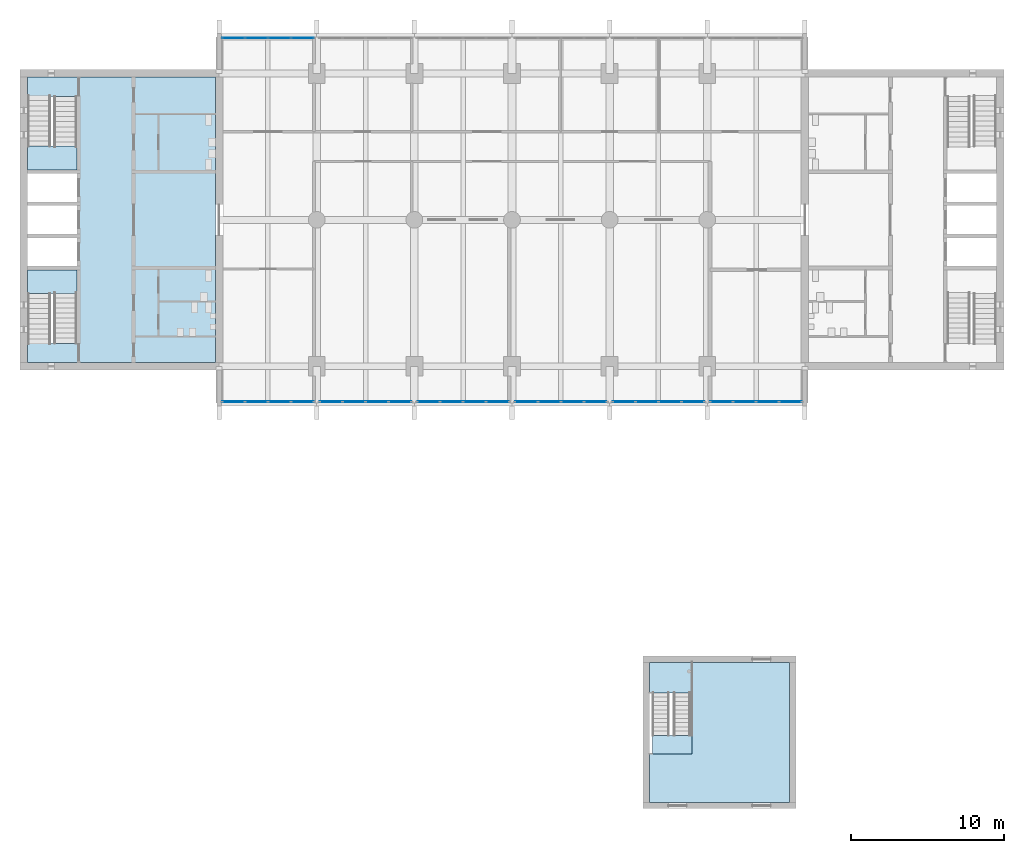
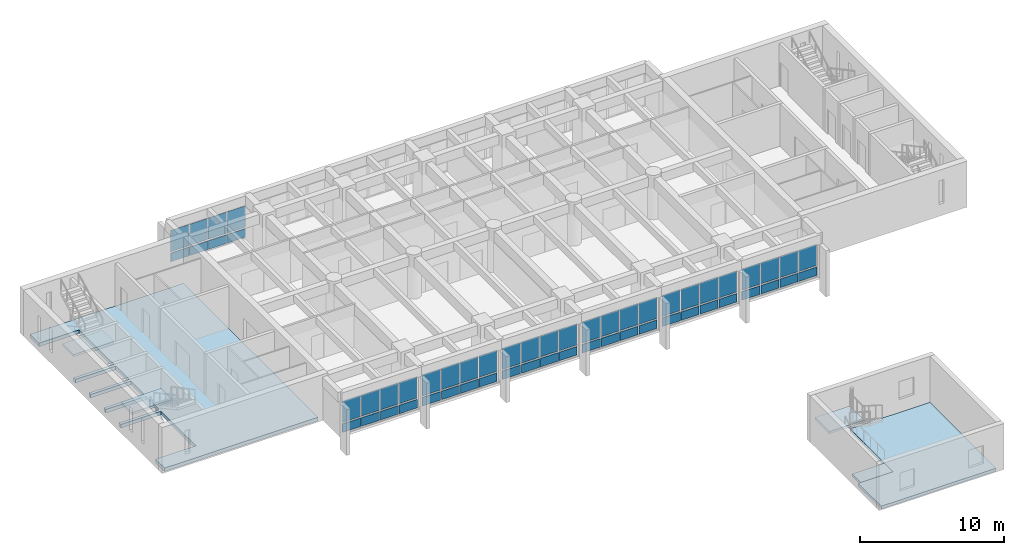
# One storey, part 7 of 19: 56 plates, 6 slabs, 10 elements without a shape of their own.
"""IFC4 building model written with IfcOpenShell, lengths in metres."""

from ifc_helpers import new_model, si_unit, direction, frame, origin, origin_2d, place, context, subcontext, project, spatial, polyline, rectangle, outline, extrude, material, layer, layer_set, type_object, element, aggregate, save


model = new_model("IFC4")

# Units and contexts
model_context = context("Model", 3, precision=1e-05, world=origin(), true_north=direction((0.0, 1.0)))
body_context = subcontext(model_context, "Body", "Model", "MODEL_VIEW")
ifc_project = project(units=[si_unit("LENGTHUNIT", "METRE"), si_unit("AREAUNIT", "SQUARE_METRE"), si_unit("VOLUMEUNIT", "CUBIC_METRE"), si_unit("PLANEANGLEUNIT", "RADIAN"), si_unit("MASSUNIT", "GRAM", prefix="KILO")], contexts=[model_context])

# Site, building, storey
site_placement = place(None, origin())
site = spatial("IfcSite", under=ifc_project, at=site_placement, CompositionType="ELEMENT")
building_placement = place(site_placement, origin())
building = spatial("IfcBuilding", under=site, at=building_placement, Name="Fogon Plaza Fire Station and Headquarters Tower", CompositionType="ELEMENT")
storey_placement = place(building_placement, frame((0.0, 0.0, 17.10009765625)))
storey = spatial("IfcBuildingStorey", under=building, at=storey_placement, Name="L04", CompositionType="ELEMENT", Elevation=17.10009765625)

# Slab
ifc_material_1 = material(Name="Concrete C40", Category="concrete")
ifc_layer_1 = layer(ifc_material_1, 0.300048828125)
ifc_layer_set_1 = layer_set([ifc_layer_1], Name="Concrete C40")
slab_type_1 = type_object("IfcSlabType", Name="Core Floor Slab RC 300", PredefinedType="FLOOR", material=ifc_layer_set_1)
slab_1_placement = place(storey_placement, frame((0.0, 0.0, -0.300048828125)))
element("IfcSlab", 1, at=slab_1_placement, inside=storey, type_object=slab_type_1, Name="Core A floor", PredefinedType="FLOOR", context=body_context, shape_type="SweptSolid", body=[
    extrude(outline(polyline([(13.050048828125, 35.110107421875), (13.050048828125, 33.85009765625), (25.35009765625, 33.85009765625), (25.35009765625, 52.550048828125), (13.050048828125, 52.550048828125), (13.050048828125, 51.2900390625), (16.27490234375, 51.2900390625), (16.27490234375, 46.47509765625), (13.050048828125, 46.47509765625), (13.050048828125, 46.22509765625), (16.27490234375, 46.22509765625), (16.27490234375, 44.375), (13.050048828125, 44.375), (13.050048828125, 44.125), (16.27490234375, 44.125), (16.27490234375, 42.27490234375), (13.050048828125, 42.27490234375), (13.050048828125, 42.02490234375), (16.27490234375, 42.02490234375), (16.27490234375, 40.175048828125), (13.050048828125, 40.175048828125), (13.050048828125, 39.925048828125), (16.27490234375, 39.925048828125), (16.27490234375, 35.110107421875), (13.050048828125, 35.110107421875)])), origin(), (0.0, 0.0, 1.0), 0.300048828125),
])

# Stair, slabs
ifc_material_2 = material(Name="Concrete C40", Category="concrete")
stair_type_1 = type_object("IfcStairType", Name="Drill Stair 1100", PredefinedType="HALF_TURN_STAIR", material=ifc_material_2)
stair_1_placement = place(storey_placement, origin())
stair_1 = element("IfcStair", 2, at=stair_1_placement, inside=storey, type_object=stair_type_1, Name="DT1", PredefinedType="HALF_TURN_STAIR")
ifc_material_3 = material(Name="Concrete C40", Category="concrete")
ifc_layer_2 = layer(ifc_material_3, 0.199951171875)
ifc_layer_set_2 = layer_set([ifc_layer_2], Name="Concrete C40")
slab_type_2 = type_object("IfcSlabType", Name="Drill Stair Landing 200", PredefinedType="LANDING", material=ifc_layer_set_2)
slab_2_placement = place(storey_placement, frame((0.0, 0.0, -0.2001953125)))
slab_2 = element("IfcSlab", 3, at=slab_2_placement, type_object=slab_type_2, Name="DT1 landing 1", PredefinedType="LANDING", context=body_context, shape_type="SweptSolid", body=[
    extrude(outline(polyline([(54.0, 8.199951171875), (56.60009765625, 8.199951171875), (56.60009765625, 9.39990234375), (54.0, 9.39990234375), (54.0, 8.199951171875)])), origin(), (0.0, 0.0, 1.0), 0.2001953125),
])
slab_3_placement = place(storey_placement, frame((0.0, 0.0, 1.75)))
slab_3 = element("IfcSlab", 4, at=slab_3_placement, type_object=slab_type_2, Name="DT1 landing 2", PredefinedType="LANDING", context=body_context, shape_type="SweptSolid", body=[
    extrude(outline(polyline([(53.800048828125, 12.199951171875), (56.60009765625, 12.199951171875), (56.60009765625, 14.199951171875), (53.800048828125, 14.199951171875), (53.800048828125, 12.199951171875)])), origin(), (0.0, 0.0, 1.0), 0.199951171875),
])
aggregate(stair_1, [slab_2, slab_3])

# Slab
ifc_material_4 = material(Name="Concrete C40", Category="concrete")
ifc_layer_3 = layer(ifc_material_4, 0.25)
ifc_layer_set_3 = layer_set([ifc_layer_3], Name="Concrete C40")
slab_type_3 = type_object("IfcSlabType", Name="Floor slab 250 S25", PredefinedType="FLOOR", material=ifc_layer_set_3)
slab_4_placement = place(storey_placement, frame((0.0, 0.0, -0.25)))
element("IfcSlab", 5, at=slab_4_placement, inside=storey, type_object=slab_type_3, Name="slab-drill-L04", PredefinedType="FLOOR", context=body_context, shape_type="SweptSolid", body=[
    extrude(outline(polyline([(63.0, 14.199951171875), (63.0, 5.0), (53.800048828125, 5.0), (53.800048828125, 8.199951171875), (56.60009765625, 8.199951171875), (56.60009765625, 14.199951171875), (63.0, 14.199951171875)])), origin(), (0.0, 0.0, 1.0), 0.25),
])

# Curtain wall, plates
ifc_material_5 = material(Name="Aluminium and glass", Category="aluminium")
ifc_layer_4 = layer(ifc_material_5, 0.14990234375)
ifc_layer_set_4 = layer_set([ifc_layer_4], Name="Aluminium and glass")
curtain_wall_type = type_object("IfcCurtainWallType", Name="Unitised Curtain Wall Run 6100x2880", PredefinedType="NOTDEFINED", material=ifc_layer_set_4)
curtain_wall_1_placement = place(storey_placement, origin())
curtain_wall_1 = element("IfcCurtainWall", 6, at=curtain_wall_1_placement, inside=storey, type_object=curtain_wall_type, Name="CW-6100x2880 S1 L04", PredefinedType="NOTDEFINED")
ifc_material_6 = material(Name="Insulated aluminium spandrel", Category="aluminium")
ifc_layer_5 = layer(ifc_material_6, 0.06005859375)
ifc_layer_set_5 = layer_set([ifc_layer_5], Name="Insulated aluminium spandrel")
plate_type_1 = type_object("IfcPlateType", Name="Insulated Spandrel Panel", PredefinedType="CURTAIN_PANEL", material=ifc_layer_set_5)
plate_1_placement = place(storey_placement, frame((26.534912109375, 31.280029296875, 0.1201171875), z_axis=(0.0, 0.0, 1.0), x_axis=(1.0, 0.0, 0.0)))
plate_1 = element("IfcPlate", 7, at=plate_1_placement, type_object=plate_type_1, Name="SP1 panel 1.1", PredefinedType="CURTAIN_PANEL", context=body_context, shape_type="SweptSolid", body=[
    extrude(rectangle(XDim=1.449951171875, YDim=0.06005859375, at=origin_2d()), origin(), (0.0, 0.0, 1.0), 0.719970703125),
])
plate_2_placement = place(storey_placement, frame((28.044921875, 31.280029296875, 0.1201171875), z_axis=(0.0, 0.0, 1.0), x_axis=(1.0, 0.0, 0.0)))
plate_2 = element("IfcPlate", 8, at=plate_2_placement, type_object=plate_type_1, Name="SP1 panel 2.1", PredefinedType="CURTAIN_PANEL", context=body_context, shape_type="SweptSolid", body=[
    extrude(rectangle(XDim=1.449951171875, YDim=0.06005859375, at=origin_2d()), origin(), (0.0, 0.0, 1.0), 0.719970703125),
])
plate_3_placement = place(storey_placement, frame((29.554931640625, 31.280029296875, 0.1201171875), z_axis=(0.0, 0.0, 1.0), x_axis=(1.0, 0.0, 0.0)))
plate_3 = element("IfcPlate", 9, at=plate_3_placement, type_object=plate_type_1, Name="SP1 panel 3.1", PredefinedType="CURTAIN_PANEL", context=body_context, shape_type="SweptSolid", body=[
    extrude(rectangle(XDim=1.449951171875, YDim=0.06005859375, at=origin_2d()), origin(), (0.0, 0.0, 1.0), 0.719970703125),
])
plate_4_placement = place(storey_placement, frame((31.06494140625, 31.280029296875, 0.1201171875), z_axis=(0.0, 0.0, 1.0), x_axis=(1.0, 0.0, 0.0)))
plate_4 = element("IfcPlate", 10, at=plate_4_placement, type_object=plate_type_1, Name="SP1 panel 4.1", PredefinedType="CURTAIN_PANEL", context=body_context, shape_type="SweptSolid", body=[
    extrude(rectangle(XDim=1.449951171875, YDim=0.06005859375, at=origin_2d()), origin(), (0.0, 0.0, 1.0), 0.719970703125),
])

curtain_wall_2_placement = place(storey_placement, origin())
curtain_wall_2 = element("IfcCurtainWall", 11, at=curtain_wall_2_placement, inside=storey, type_object=curtain_wall_type, Name="CW-6100x2880 S2 L04", PredefinedType="NOTDEFINED")
plate_5_placement = place(storey_placement, frame((32.93505859375, 31.280029296875, 0.1201171875), z_axis=(0.0, 0.0, 1.0), x_axis=(1.0, 0.0, 0.0)))
plate_5 = element("IfcPlate", 12, at=plate_5_placement, type_object=plate_type_1, Name="SP1 panel 1.1", PredefinedType="CURTAIN_PANEL", context=body_context, shape_type="SweptSolid", body=[
    extrude(rectangle(XDim=1.449951171875, YDim=0.06005859375, at=origin_2d()), origin(), (0.0, 0.0, 1.0), 0.719970703125),
])
plate_6_placement = place(storey_placement, frame((34.445068359375, 31.280029296875, 0.1201171875), z_axis=(0.0, 0.0, 1.0), x_axis=(1.0, 0.0, 0.0)))
plate_6 = element("IfcPlate", 13, at=plate_6_placement, type_object=plate_type_1, Name="SP1 panel 2.1", PredefinedType="CURTAIN_PANEL", context=body_context, shape_type="SweptSolid", body=[
    extrude(rectangle(XDim=1.449951171875, YDim=0.06005859375, at=origin_2d()), origin(), (0.0, 0.0, 1.0), 0.719970703125),
])
plate_7_placement = place(storey_placement, frame((35.955078125, 31.280029296875, 0.1201171875), z_axis=(0.0, 0.0, 1.0), x_axis=(1.0, 0.0, 0.0)))
plate_7 = element("IfcPlate", 14, at=plate_7_placement, type_object=plate_type_1, Name="SP1 panel 3.1", PredefinedType="CURTAIN_PANEL", context=body_context, shape_type="SweptSolid", body=[
    extrude(rectangle(XDim=1.449951171875, YDim=0.06005859375, at=origin_2d()), origin(), (0.0, 0.0, 1.0), 0.719970703125),
])
plate_8_placement = place(storey_placement, frame((37.465087890625, 31.280029296875, 0.1201171875), z_axis=(0.0, 0.0, 1.0), x_axis=(1.0, 0.0, 0.0)))
plate_8 = element("IfcPlate", 15, at=plate_8_placement, type_object=plate_type_1, Name="SP1 panel 4.1", PredefinedType="CURTAIN_PANEL", context=body_context, shape_type="SweptSolid", body=[
    extrude(rectangle(XDim=1.449951171875, YDim=0.06005859375, at=origin_2d()), origin(), (0.0, 0.0, 1.0), 0.719970703125),
])

curtain_wall_3_placement = place(storey_placement, origin())
curtain_wall_3 = element("IfcCurtainWall", 16, at=curtain_wall_3_placement, inside=storey, type_object=curtain_wall_type, Name="CW-6100x2880 S3 L04", PredefinedType="NOTDEFINED")
plate_9_placement = place(storey_placement, frame((39.3349609375, 31.280029296875, 0.1201171875), z_axis=(0.0, 0.0, 1.0), x_axis=(1.0, 0.0, 0.0)))
plate_9 = element("IfcPlate", 17, at=plate_9_placement, type_object=plate_type_1, Name="SP1 panel 1.1", PredefinedType="CURTAIN_PANEL", context=body_context, shape_type="SweptSolid", body=[
    extrude(rectangle(XDim=1.449951171875, YDim=0.06005859375, at=origin_2d()), origin(), (0.0, 0.0, 1.0), 0.719970703125),
])
plate_10_placement = place(storey_placement, frame((40.844970703125, 31.280029296875, 0.1201171875), z_axis=(0.0, 0.0, 1.0), x_axis=(1.0, 0.0, 0.0)))
plate_10 = element("IfcPlate", 18, at=plate_10_placement, type_object=plate_type_1, Name="SP1 panel 2.1", PredefinedType="CURTAIN_PANEL", context=body_context, shape_type="SweptSolid", body=[
    extrude(rectangle(XDim=1.449951171875, YDim=0.06005859375, at=origin_2d()), origin(), (0.0, 0.0, 1.0), 0.719970703125),
])
plate_11_placement = place(storey_placement, frame((42.35498046875, 31.280029296875, 0.1201171875), z_axis=(0.0, 0.0, 1.0), x_axis=(1.0, 0.0, 0.0)))
plate_11 = element("IfcPlate", 19, at=plate_11_placement, type_object=plate_type_1, Name="SP1 panel 3.1", PredefinedType="CURTAIN_PANEL", context=body_context, shape_type="SweptSolid", body=[
    extrude(rectangle(XDim=1.449951171875, YDim=0.06005859375, at=origin_2d()), origin(), (0.0, 0.0, 1.0), 0.719970703125),
])
plate_12_placement = place(storey_placement, frame((43.864990234375, 31.280029296875, 0.1201171875), z_axis=(0.0, 0.0, 1.0), x_axis=(1.0, 0.0, 0.0)))
plate_12 = element("IfcPlate", 20, at=plate_12_placement, type_object=plate_type_1, Name="SP1 panel 4.1", PredefinedType="CURTAIN_PANEL", context=body_context, shape_type="SweptSolid", body=[
    extrude(rectangle(XDim=1.449951171875, YDim=0.06005859375, at=origin_2d()), origin(), (0.0, 0.0, 1.0), 0.719970703125),
])

curtain_wall_4_placement = place(storey_placement, origin())
curtain_wall_4 = element("IfcCurtainWall", 21, at=curtain_wall_4_placement, inside=storey, type_object=curtain_wall_type, Name="CW-6100x2880 S4 L04", PredefinedType="NOTDEFINED")
plate_13_placement = place(storey_placement, frame((45.735107421875, 31.280029296875, 0.1201171875), z_axis=(0.0, 0.0, 1.0), x_axis=(1.0, 0.0, 0.0)))
plate_13 = element("IfcPlate", 22, at=plate_13_placement, type_object=plate_type_1, Name="SP1 panel 1.1", PredefinedType="CURTAIN_PANEL", context=body_context, shape_type="SweptSolid", body=[
    extrude(rectangle(XDim=1.449951171875, YDim=0.06005859375, at=origin_2d()), origin(), (0.0, 0.0, 1.0), 0.719970703125),
])
plate_14_placement = place(storey_placement, frame((47.2451171875, 31.280029296875, 0.1201171875), z_axis=(0.0, 0.0, 1.0), x_axis=(1.0, 0.0, 0.0)))
plate_14 = element("IfcPlate", 23, at=plate_14_placement, type_object=plate_type_1, Name="SP1 panel 2.1", PredefinedType="CURTAIN_PANEL", context=body_context, shape_type="SweptSolid", body=[
    extrude(rectangle(XDim=1.449951171875, YDim=0.06005859375, at=origin_2d()), origin(), (0.0, 0.0, 1.0), 0.719970703125),
])
plate_15_placement = place(storey_placement, frame((48.7548828125, 31.280029296875, 0.1201171875), z_axis=(0.0, 0.0, 1.0), x_axis=(1.0, 0.0, 0.0)))
plate_15 = element("IfcPlate", 24, at=plate_15_placement, type_object=plate_type_1, Name="SP1 panel 3.1", PredefinedType="CURTAIN_PANEL", context=body_context, shape_type="SweptSolid", body=[
    extrude(rectangle(XDim=1.449951171875, YDim=0.06005859375, at=origin_2d()), origin(), (0.0, 0.0, 1.0), 0.719970703125),
])
plate_16_placement = place(storey_placement, frame((50.264892578125, 31.280029296875, 0.1201171875), z_axis=(0.0, 0.0, 1.0), x_axis=(1.0, 0.0, 0.0)))
plate_16 = element("IfcPlate", 25, at=plate_16_placement, type_object=plate_type_1, Name="SP1 panel 4.1", PredefinedType="CURTAIN_PANEL", context=body_context, shape_type="SweptSolid", body=[
    extrude(rectangle(XDim=1.449951171875, YDim=0.06005859375, at=origin_2d()), origin(), (0.0, 0.0, 1.0), 0.719970703125),
])

curtain_wall_5_placement = place(storey_placement, origin())
curtain_wall_5 = element("IfcCurtainWall", 26, at=curtain_wall_5_placement, inside=storey, type_object=curtain_wall_type, Name="CW-6100x2880 S5 L04", PredefinedType="NOTDEFINED")
plate_17_placement = place(storey_placement, frame((52.135009765625, 31.280029296875, 0.1201171875), z_axis=(0.0, 0.0, 1.0), x_axis=(1.0, 0.0, 0.0)))
plate_17 = element("IfcPlate", 27, at=plate_17_placement, type_object=plate_type_1, Name="SP1 panel 1.1", PredefinedType="CURTAIN_PANEL", context=body_context, shape_type="SweptSolid", body=[
    extrude(rectangle(XDim=1.449951171875, YDim=0.06005859375, at=origin_2d()), origin(), (0.0, 0.0, 1.0), 0.719970703125),
])
plate_18_placement = place(storey_placement, frame((53.64501953125, 31.280029296875, 0.1201171875), z_axis=(0.0, 0.0, 1.0), x_axis=(1.0, 0.0, 0.0)))
plate_18 = element("IfcPlate", 28, at=plate_18_placement, type_object=plate_type_1, Name="SP1 panel 2.1", PredefinedType="CURTAIN_PANEL", context=body_context, shape_type="SweptSolid", body=[
    extrude(rectangle(XDim=1.449951171875, YDim=0.06005859375, at=origin_2d()), origin(), (0.0, 0.0, 1.0), 0.719970703125),
])
plate_19_placement = place(storey_placement, frame((55.155029296875, 31.280029296875, 0.1201171875), z_axis=(0.0, 0.0, 1.0), x_axis=(1.0, 0.0, 0.0)))
plate_19 = element("IfcPlate", 29, at=plate_19_placement, type_object=plate_type_1, Name="SP1 panel 3.1", PredefinedType="CURTAIN_PANEL", context=body_context, shape_type="SweptSolid", body=[
    extrude(rectangle(XDim=1.449951171875, YDim=0.06005859375, at=origin_2d()), origin(), (0.0, 0.0, 1.0), 0.719970703125),
])
plate_20_placement = place(storey_placement, frame((56.6650390625, 31.280029296875, 0.1201171875), z_axis=(0.0, 0.0, 1.0), x_axis=(1.0, 0.0, 0.0)))
plate_20 = element("IfcPlate", 30, at=plate_20_placement, type_object=plate_type_1, Name="SP1 panel 4.1", PredefinedType="CURTAIN_PANEL", context=body_context, shape_type="SweptSolid", body=[
    extrude(rectangle(XDim=1.449951171875, YDim=0.06005859375, at=origin_2d()), origin(), (0.0, 0.0, 1.0), 0.719970703125),
])

curtain_wall_6_placement = place(storey_placement, origin())
curtain_wall_6 = element("IfcCurtainWall", 31, at=curtain_wall_6_placement, inside=storey, type_object=curtain_wall_type, Name="CW-6100x2880 S6 L04", PredefinedType="NOTDEFINED")
plate_21_placement = place(storey_placement, frame((58.534912109375, 31.280029296875, 0.1201171875), z_axis=(0.0, 0.0, 1.0), x_axis=(1.0, 0.0, 0.0)))
plate_21 = element("IfcPlate", 32, at=plate_21_placement, type_object=plate_type_1, Name="SP1 panel 1.1", PredefinedType="CURTAIN_PANEL", context=body_context, shape_type="SweptSolid", body=[
    extrude(rectangle(XDim=1.449951171875, YDim=0.06005859375, at=origin_2d()), origin(), (0.0, 0.0, 1.0), 0.719970703125),
])
plate_22_placement = place(storey_placement, frame((60.044921875, 31.280029296875, 0.1201171875), z_axis=(0.0, 0.0, 1.0), x_axis=(1.0, 0.0, 0.0)))
plate_22 = element("IfcPlate", 33, at=plate_22_placement, type_object=plate_type_1, Name="SP1 panel 2.1", PredefinedType="CURTAIN_PANEL", context=body_context, shape_type="SweptSolid", body=[
    extrude(rectangle(XDim=1.449951171875, YDim=0.06005859375, at=origin_2d()), origin(), (0.0, 0.0, 1.0), 0.719970703125),
])
plate_23_placement = place(storey_placement, frame((61.554931640625, 31.280029296875, 0.1201171875), z_axis=(0.0, 0.0, 1.0), x_axis=(1.0, 0.0, 0.0)))
plate_23 = element("IfcPlate", 34, at=plate_23_placement, type_object=plate_type_1, Name="SP1 panel 3.1", PredefinedType="CURTAIN_PANEL", context=body_context, shape_type="SweptSolid", body=[
    extrude(rectangle(XDim=1.449951171875, YDim=0.06005859375, at=origin_2d()), origin(), (0.0, 0.0, 1.0), 0.719970703125),
])
plate_24_placement = place(storey_placement, frame((63.06494140625, 31.280029296875, 0.1201171875), z_axis=(0.0, 0.0, 1.0), x_axis=(1.0, 0.0, 0.0)))
plate_24 = element("IfcPlate", 35, at=plate_24_placement, type_object=plate_type_1, Name="SP1 panel 4.1", PredefinedType="CURTAIN_PANEL", context=body_context, shape_type="SweptSolid", body=[
    extrude(rectangle(XDim=1.449951171875, YDim=0.06005859375, at=origin_2d()), origin(), (0.0, 0.0, 1.0), 0.719970703125),
])

curtain_wall_7_placement = place(storey_placement, origin())
curtain_wall_7 = element("IfcCurtainWall", 36, at=curtain_wall_7_placement, inside=storey, type_object=curtain_wall_type, Name="CW-6100x2880 N1 L04", PredefinedType="NOTDEFINED")
plate_25_placement = place(storey_placement, frame((26.534912109375, 55.1201171875, 0.1201171875), z_axis=(0.0, 0.0, 1.0), x_axis=(1.0, 0.0, 0.0)))
plate_25 = element("IfcPlate", 37, at=plate_25_placement, type_object=plate_type_1, Name="SP1 panel 1.1", PredefinedType="CURTAIN_PANEL", context=body_context, shape_type="SweptSolid", body=[
    extrude(rectangle(XDim=1.449951171875, YDim=0.06005859375, at=origin_2d()), origin(), (0.0, 0.0, 1.0), 0.719970703125),
])
plate_26_placement = place(storey_placement, frame((28.044921875, 55.1201171875, 0.1201171875), z_axis=(0.0, 0.0, 1.0), x_axis=(1.0, 0.0, 0.0)))
plate_26 = element("IfcPlate", 38, at=plate_26_placement, type_object=plate_type_1, Name="SP1 panel 2.1", PredefinedType="CURTAIN_PANEL", context=body_context, shape_type="SweptSolid", body=[
    extrude(rectangle(XDim=1.449951171875, YDim=0.06005859375, at=origin_2d()), origin(), (0.0, 0.0, 1.0), 0.719970703125),
])
plate_27_placement = place(storey_placement, frame((29.554931640625, 55.1201171875, 0.1201171875), z_axis=(0.0, 0.0, 1.0), x_axis=(1.0, 0.0, 0.0)))
plate_27 = element("IfcPlate", 39, at=plate_27_placement, type_object=plate_type_1, Name="SP1 panel 3.1", PredefinedType="CURTAIN_PANEL", context=body_context, shape_type="SweptSolid", body=[
    extrude(rectangle(XDim=1.449951171875, YDim=0.06005859375, at=origin_2d()), origin(), (0.0, 0.0, 1.0), 0.719970703125),
])
plate_28_placement = place(storey_placement, frame((31.06494140625, 55.1201171875, 0.1201171875), z_axis=(0.0, 0.0, 1.0), x_axis=(1.0, 0.0, 0.0)))
plate_28 = element("IfcPlate", 40, at=plate_28_placement, type_object=plate_type_1, Name="SP1 panel 4.1", PredefinedType="CURTAIN_PANEL", context=body_context, shape_type="SweptSolid", body=[
    extrude(rectangle(XDim=1.449951171875, YDim=0.06005859375, at=origin_2d()), origin(), (0.0, 0.0, 1.0), 0.719970703125),
])

# Stair, slab
ifc_material_7 = material(Name="Concrete C40", Category="concrete")
stair_type_2 = type_object("IfcStairType", Name="Exit Stair Two Flights", PredefinedType="TWO_STRAIGHT_RUN_STAIR", material=ifc_material_7)
stair_2_placement = place(storey_placement, origin())
stair_2 = element("IfcStair", 41, at=stair_2_placement, inside=storey, type_object=stair_type_2, Name="Stair ST1", PredefinedType="TWO_STRAIGHT_RUN_STAIR")
ifc_material_8 = material(Name="Concrete C40", Category="concrete")
ifc_layer_6 = layer(ifc_material_8, 0.300048828125)
ifc_layer_set_6 = layer_set([ifc_layer_6], Name="Concrete C40")
slab_type_4 = type_object("IfcSlabType", Name="Stair Landing RC 300", PredefinedType="LANDING", material=ifc_layer_set_6)
slab_5_placement = place(storey_placement, frame((0.0, 0.0, 1.75)))
slab_5 = element("IfcSlab", 42, at=slab_5_placement, type_object=slab_type_4, Name="ST1 landing L06", PredefinedType="LANDING", context=body_context, shape_type="SweptSolid", body=[
    extrude(outline(polyline([(16.27490234375, 38.375), (16.27490234375, 39.925048828125), (13.050048828125, 39.925048828125), (13.050048828125, 38.375), (16.27490234375, 38.375)])), origin(), (0.0, 0.0, 1.0), 0.199951171875),
])
aggregate(stair_2, [slab_5])

stair_3_placement = place(storey_placement, origin())
stair_3 = element("IfcStair", 43, at=stair_3_placement, inside=storey, type_object=stair_type_2, Name="Stair ST2", PredefinedType="TWO_STRAIGHT_RUN_STAIR")
slab_6_placement = place(storey_placement, frame((0.0, 0.0, 1.75)))
slab_6 = element("IfcSlab", 44, at=slab_6_placement, type_object=slab_type_4, Name="ST2 landing L06", PredefinedType="LANDING", context=body_context, shape_type="SweptSolid", body=[
    extrude(outline(polyline([(16.27490234375, 46.47509765625), (16.27490234375, 48.02490234375), (13.050048828125, 48.02490234375), (13.050048828125, 46.47509765625), (16.27490234375, 46.47509765625)])), origin(), (0.0, 0.0, 1.0), 0.199951171875),
])
aggregate(stair_3, [slab_6])

# Plate
ifc_material_9 = material(Name="Low-e double glazing", Category="glass")
ifc_layer_7 = layer(ifc_material_9, 0.028076171875)
ifc_layer_set_7 = layer_set([ifc_layer_7], Name="Low-e double glazing")
plate_type_2 = type_object("IfcPlateType", Name="Vision Glass Panel 1450x1800", PredefinedType="CURTAIN_PANEL", material=ifc_layer_set_7)
plate_29_placement = place(storey_placement, frame((26.534912109375, 31.280029296875, 0.9599609375), z_axis=(0.0, 0.0, 1.0), x_axis=(1.0, 0.0, 0.0)))
plate_29 = element("IfcPlate", 45, at=plate_29_placement, type_object=plate_type_2, Name="VG-1450x1800 panel 1.2", PredefinedType="CURTAIN_PANEL", context=body_context, shape_type="SweptSolid", body=[
    extrude(rectangle(XDim=1.449951171875, YDim=0.028076171875, at=origin_2d()), origin(), (0.0, 0.0, 1.0), 1.800048828125),
])

plate_30_placement = place(storey_placement, frame((28.044921875, 31.280029296875, 0.9599609375), z_axis=(0.0, 0.0, 1.0), x_axis=(1.0, 0.0, 0.0)))
plate_30 = element("IfcPlate", 46, at=plate_30_placement, type_object=plate_type_2, Name="VG-1450x1800 panel 2.2", PredefinedType="CURTAIN_PANEL", context=body_context, shape_type="SweptSolid", body=[
    extrude(rectangle(XDim=1.449951171875, YDim=0.028076171875, at=origin_2d()), origin(), (0.0, 0.0, 1.0), 1.800048828125),
])

plate_31_placement = place(storey_placement, frame((29.554931640625, 31.280029296875, 0.9599609375), z_axis=(0.0, 0.0, 1.0), x_axis=(1.0, 0.0, 0.0)))
plate_31 = element("IfcPlate", 47, at=plate_31_placement, type_object=plate_type_2, Name="VG-1450x1800 panel 3.2", PredefinedType="CURTAIN_PANEL", context=body_context, shape_type="SweptSolid", body=[
    extrude(rectangle(XDim=1.449951171875, YDim=0.028076171875, at=origin_2d()), origin(), (0.0, 0.0, 1.0), 1.800048828125),
])

plate_32_placement = place(storey_placement, frame((31.06494140625, 31.280029296875, 0.9599609375), z_axis=(0.0, 0.0, 1.0), x_axis=(1.0, 0.0, 0.0)))
plate_32 = element("IfcPlate", 48, at=plate_32_placement, type_object=plate_type_2, Name="VG-1450x1800 panel 4.2", PredefinedType="CURTAIN_PANEL", context=body_context, shape_type="SweptSolid", body=[
    extrude(rectangle(XDim=1.449951171875, YDim=0.028076171875, at=origin_2d()), origin(), (0.0, 0.0, 1.0), 1.800048828125),
])

aggregate(curtain_wall_1, [plate_1, plate_29, plate_2, plate_30, plate_3, plate_31, plate_4, plate_32])

plate_33_placement = place(storey_placement, frame((32.93505859375, 31.280029296875, 0.9599609375), z_axis=(0.0, 0.0, 1.0), x_axis=(1.0, 0.0, 0.0)))
plate_33 = element("IfcPlate", 49, at=plate_33_placement, type_object=plate_type_2, Name="VG-1450x1800 panel 1.2", PredefinedType="CURTAIN_PANEL", context=body_context, shape_type="SweptSolid", body=[
    extrude(rectangle(XDim=1.449951171875, YDim=0.028076171875, at=origin_2d()), origin(), (0.0, 0.0, 1.0), 1.800048828125),
])

plate_34_placement = place(storey_placement, frame((34.445068359375, 31.280029296875, 0.9599609375), z_axis=(0.0, 0.0, 1.0), x_axis=(1.0, 0.0, 0.0)))
plate_34 = element("IfcPlate", 50, at=plate_34_placement, type_object=plate_type_2, Name="VG-1450x1800 panel 2.2", PredefinedType="CURTAIN_PANEL", context=body_context, shape_type="SweptSolid", body=[
    extrude(rectangle(XDim=1.449951171875, YDim=0.028076171875, at=origin_2d()), origin(), (0.0, 0.0, 1.0), 1.800048828125),
])

plate_35_placement = place(storey_placement, frame((35.955078125, 31.280029296875, 0.9599609375), z_axis=(0.0, 0.0, 1.0), x_axis=(1.0, 0.0, 0.0)))
plate_35 = element("IfcPlate", 51, at=plate_35_placement, type_object=plate_type_2, Name="VG-1450x1800 panel 3.2", PredefinedType="CURTAIN_PANEL", context=body_context, shape_type="SweptSolid", body=[
    extrude(rectangle(XDim=1.449951171875, YDim=0.028076171875, at=origin_2d()), origin(), (0.0, 0.0, 1.0), 1.800048828125),
])

plate_36_placement = place(storey_placement, frame((37.465087890625, 31.280029296875, 0.9599609375), z_axis=(0.0, 0.0, 1.0), x_axis=(1.0, 0.0, 0.0)))
plate_36 = element("IfcPlate", 52, at=plate_36_placement, type_object=plate_type_2, Name="VG-1450x1800 panel 4.2", PredefinedType="CURTAIN_PANEL", context=body_context, shape_type="SweptSolid", body=[
    extrude(rectangle(XDim=1.449951171875, YDim=0.028076171875, at=origin_2d()), origin(), (0.0, 0.0, 1.0), 1.800048828125),
])

aggregate(curtain_wall_2, [plate_5, plate_33, plate_6, plate_34, plate_7, plate_35, plate_8, plate_36])

plate_37_placement = place(storey_placement, frame((39.3349609375, 31.280029296875, 0.9599609375), z_axis=(0.0, 0.0, 1.0), x_axis=(1.0, 0.0, 0.0)))
plate_37 = element("IfcPlate", 53, at=plate_37_placement, type_object=plate_type_2, Name="VG-1450x1800 panel 1.2", PredefinedType="CURTAIN_PANEL", context=body_context, shape_type="SweptSolid", body=[
    extrude(rectangle(XDim=1.449951171875, YDim=0.028076171875, at=origin_2d()), origin(), (0.0, 0.0, 1.0), 1.800048828125),
])

plate_38_placement = place(storey_placement, frame((40.844970703125, 31.280029296875, 0.9599609375), z_axis=(0.0, 0.0, 1.0), x_axis=(1.0, 0.0, 0.0)))
plate_38 = element("IfcPlate", 54, at=plate_38_placement, type_object=plate_type_2, Name="VG-1450x1800 panel 2.2", PredefinedType="CURTAIN_PANEL", context=body_context, shape_type="SweptSolid", body=[
    extrude(rectangle(XDim=1.449951171875, YDim=0.028076171875, at=origin_2d()), origin(), (0.0, 0.0, 1.0), 1.800048828125),
])

plate_39_placement = place(storey_placement, frame((42.35498046875, 31.280029296875, 0.9599609375), z_axis=(0.0, 0.0, 1.0), x_axis=(1.0, 0.0, 0.0)))
plate_39 = element("IfcPlate", 55, at=plate_39_placement, type_object=plate_type_2, Name="VG-1450x1800 panel 3.2", PredefinedType="CURTAIN_PANEL", context=body_context, shape_type="SweptSolid", body=[
    extrude(rectangle(XDim=1.449951171875, YDim=0.028076171875, at=origin_2d()), origin(), (0.0, 0.0, 1.0), 1.800048828125),
])

plate_40_placement = place(storey_placement, frame((43.864990234375, 31.280029296875, 0.9599609375), z_axis=(0.0, 0.0, 1.0), x_axis=(1.0, 0.0, 0.0)))
plate_40 = element("IfcPlate", 56, at=plate_40_placement, type_object=plate_type_2, Name="VG-1450x1800 panel 4.2", PredefinedType="CURTAIN_PANEL", context=body_context, shape_type="SweptSolid", body=[
    extrude(rectangle(XDim=1.449951171875, YDim=0.028076171875, at=origin_2d()), origin(), (0.0, 0.0, 1.0), 1.800048828125),
])

aggregate(curtain_wall_3, [plate_9, plate_37, plate_10, plate_38, plate_11, plate_39, plate_12, plate_40])

plate_41_placement = place(storey_placement, frame((45.735107421875, 31.280029296875, 0.9599609375), z_axis=(0.0, 0.0, 1.0), x_axis=(1.0, 0.0, 0.0)))
plate_41 = element("IfcPlate", 57, at=plate_41_placement, type_object=plate_type_2, Name="VG-1450x1800 panel 1.2", PredefinedType="CURTAIN_PANEL", context=body_context, shape_type="SweptSolid", body=[
    extrude(rectangle(XDim=1.449951171875, YDim=0.028076171875, at=origin_2d()), origin(), (0.0, 0.0, 1.0), 1.800048828125),
])

plate_42_placement = place(storey_placement, frame((47.2451171875, 31.280029296875, 0.9599609375), z_axis=(0.0, 0.0, 1.0), x_axis=(1.0, 0.0, 0.0)))
plate_42 = element("IfcPlate", 58, at=plate_42_placement, type_object=plate_type_2, Name="VG-1450x1800 panel 2.2", PredefinedType="CURTAIN_PANEL", context=body_context, shape_type="SweptSolid", body=[
    extrude(rectangle(XDim=1.449951171875, YDim=0.028076171875, at=origin_2d()), origin(), (0.0, 0.0, 1.0), 1.800048828125),
])

plate_43_placement = place(storey_placement, frame((48.7548828125, 31.280029296875, 0.9599609375), z_axis=(0.0, 0.0, 1.0), x_axis=(1.0, 0.0, 0.0)))
plate_43 = element("IfcPlate", 59, at=plate_43_placement, type_object=plate_type_2, Name="VG-1450x1800 panel 3.2", PredefinedType="CURTAIN_PANEL", context=body_context, shape_type="SweptSolid", body=[
    extrude(rectangle(XDim=1.449951171875, YDim=0.028076171875, at=origin_2d()), origin(), (0.0, 0.0, 1.0), 1.800048828125),
])

plate_44_placement = place(storey_placement, frame((50.264892578125, 31.280029296875, 0.9599609375), z_axis=(0.0, 0.0, 1.0), x_axis=(1.0, 0.0, 0.0)))
plate_44 = element("IfcPlate", 60, at=plate_44_placement, type_object=plate_type_2, Name="VG-1450x1800 panel 4.2", PredefinedType="CURTAIN_PANEL", context=body_context, shape_type="SweptSolid", body=[
    extrude(rectangle(XDim=1.449951171875, YDim=0.028076171875, at=origin_2d()), origin(), (0.0, 0.0, 1.0), 1.800048828125),
])

aggregate(curtain_wall_4, [plate_13, plate_41, plate_14, plate_42, plate_15, plate_43, plate_16, plate_44])

plate_45_placement = place(storey_placement, frame((52.135009765625, 31.280029296875, 0.9599609375), z_axis=(0.0, 0.0, 1.0), x_axis=(1.0, 0.0, 0.0)))
plate_45 = element("IfcPlate", 61, at=plate_45_placement, type_object=plate_type_2, Name="VG-1450x1800 panel 1.2", PredefinedType="CURTAIN_PANEL", context=body_context, shape_type="SweptSolid", body=[
    extrude(rectangle(XDim=1.449951171875, YDim=0.028076171875, at=origin_2d()), origin(), (0.0, 0.0, 1.0), 1.800048828125),
])

plate_46_placement = place(storey_placement, frame((53.64501953125, 31.280029296875, 0.9599609375), z_axis=(0.0, 0.0, 1.0), x_axis=(1.0, 0.0, 0.0)))
plate_46 = element("IfcPlate", 62, at=plate_46_placement, type_object=plate_type_2, Name="VG-1450x1800 panel 2.2", PredefinedType="CURTAIN_PANEL", context=body_context, shape_type="SweptSolid", body=[
    extrude(rectangle(XDim=1.449951171875, YDim=0.028076171875, at=origin_2d()), origin(), (0.0, 0.0, 1.0), 1.800048828125),
])

plate_47_placement = place(storey_placement, frame((55.155029296875, 31.280029296875, 0.9599609375), z_axis=(0.0, 0.0, 1.0), x_axis=(1.0, 0.0, 0.0)))
plate_47 = element("IfcPlate", 63, at=plate_47_placement, type_object=plate_type_2, Name="VG-1450x1800 panel 3.2", PredefinedType="CURTAIN_PANEL", context=body_context, shape_type="SweptSolid", body=[
    extrude(rectangle(XDim=1.449951171875, YDim=0.028076171875, at=origin_2d()), origin(), (0.0, 0.0, 1.0), 1.800048828125),
])

plate_48_placement = place(storey_placement, frame((56.6650390625, 31.280029296875, 0.9599609375), z_axis=(0.0, 0.0, 1.0), x_axis=(1.0, 0.0, 0.0)))
plate_48 = element("IfcPlate", 64, at=plate_48_placement, type_object=plate_type_2, Name="VG-1450x1800 panel 4.2", PredefinedType="CURTAIN_PANEL", context=body_context, shape_type="SweptSolid", body=[
    extrude(rectangle(XDim=1.449951171875, YDim=0.028076171875, at=origin_2d()), origin(), (0.0, 0.0, 1.0), 1.800048828125),
])

aggregate(curtain_wall_5, [plate_17, plate_45, plate_18, plate_46, plate_19, plate_47, plate_20, plate_48])

plate_49_placement = place(storey_placement, frame((58.534912109375, 31.280029296875, 0.9599609375), z_axis=(0.0, 0.0, 1.0), x_axis=(1.0, 0.0, 0.0)))
plate_49 = element("IfcPlate", 65, at=plate_49_placement, type_object=plate_type_2, Name="VG-1450x1800 panel 1.2", PredefinedType="CURTAIN_PANEL", context=body_context, shape_type="SweptSolid", body=[
    extrude(rectangle(XDim=1.449951171875, YDim=0.028076171875, at=origin_2d()), origin(), (0.0, 0.0, 1.0), 1.800048828125),
])

plate_50_placement = place(storey_placement, frame((60.044921875, 31.280029296875, 0.9599609375), z_axis=(0.0, 0.0, 1.0), x_axis=(1.0, 0.0, 0.0)))
plate_50 = element("IfcPlate", 66, at=plate_50_placement, type_object=plate_type_2, Name="VG-1450x1800 panel 2.2", PredefinedType="CURTAIN_PANEL", context=body_context, shape_type="SweptSolid", body=[
    extrude(rectangle(XDim=1.449951171875, YDim=0.028076171875, at=origin_2d()), origin(), (0.0, 0.0, 1.0), 1.800048828125),
])

plate_51_placement = place(storey_placement, frame((61.554931640625, 31.280029296875, 0.9599609375), z_axis=(0.0, 0.0, 1.0), x_axis=(1.0, 0.0, 0.0)))
plate_51 = element("IfcPlate", 67, at=plate_51_placement, type_object=plate_type_2, Name="VG-1450x1800 panel 3.2", PredefinedType="CURTAIN_PANEL", context=body_context, shape_type="SweptSolid", body=[
    extrude(rectangle(XDim=1.449951171875, YDim=0.028076171875, at=origin_2d()), origin(), (0.0, 0.0, 1.0), 1.800048828125),
])

plate_52_placement = place(storey_placement, frame((63.06494140625, 31.280029296875, 0.9599609375), z_axis=(0.0, 0.0, 1.0), x_axis=(1.0, 0.0, 0.0)))
plate_52 = element("IfcPlate", 68, at=plate_52_placement, type_object=plate_type_2, Name="VG-1450x1800 panel 4.2", PredefinedType="CURTAIN_PANEL", context=body_context, shape_type="SweptSolid", body=[
    extrude(rectangle(XDim=1.449951171875, YDim=0.028076171875, at=origin_2d()), origin(), (0.0, 0.0, 1.0), 1.800048828125),
])

aggregate(curtain_wall_6, [plate_21, plate_49, plate_22, plate_50, plate_23, plate_51, plate_24, plate_52])

plate_53_placement = place(storey_placement, frame((26.534912109375, 55.1201171875, 0.9599609375), z_axis=(0.0, 0.0, 1.0), x_axis=(1.0, 0.0, 0.0)))
plate_53 = element("IfcPlate", 69, at=plate_53_placement, type_object=plate_type_2, Name="VG-1450x1800 panel 1.2", PredefinedType="CURTAIN_PANEL", context=body_context, shape_type="SweptSolid", body=[
    extrude(rectangle(XDim=1.449951171875, YDim=0.028076171875, at=origin_2d()), origin(), (0.0, 0.0, 1.0), 1.800048828125),
])

plate_54_placement = place(storey_placement, frame((28.044921875, 55.1201171875, 0.9599609375), z_axis=(0.0, 0.0, 1.0), x_axis=(1.0, 0.0, 0.0)))
plate_54 = element("IfcPlate", 70, at=plate_54_placement, type_object=plate_type_2, Name="VG-1450x1800 panel 2.2", PredefinedType="CURTAIN_PANEL", context=body_context, shape_type="SweptSolid", body=[
    extrude(rectangle(XDim=1.449951171875, YDim=0.028076171875, at=origin_2d()), origin(), (0.0, 0.0, 1.0), 1.800048828125),
])

plate_55_placement = place(storey_placement, frame((29.554931640625, 55.1201171875, 0.9599609375), z_axis=(0.0, 0.0, 1.0), x_axis=(1.0, 0.0, 0.0)))
plate_55 = element("IfcPlate", 71, at=plate_55_placement, type_object=plate_type_2, Name="VG-1450x1800 panel 3.2", PredefinedType="CURTAIN_PANEL", context=body_context, shape_type="SweptSolid", body=[
    extrude(rectangle(XDim=1.449951171875, YDim=0.028076171875, at=origin_2d()), origin(), (0.0, 0.0, 1.0), 1.800048828125),
])

plate_56_placement = place(storey_placement, frame((31.06494140625, 55.1201171875, 0.9599609375), z_axis=(0.0, 0.0, 1.0), x_axis=(1.0, 0.0, 0.0)))
plate_56 = element("IfcPlate", 72, at=plate_56_placement, type_object=plate_type_2, Name="VG-1450x1800 panel 4.2", PredefinedType="CURTAIN_PANEL", context=body_context, shape_type="SweptSolid", body=[
    extrude(rectangle(XDim=1.449951171875, YDim=0.028076171875, at=origin_2d()), origin(), (0.0, 0.0, 1.0), 1.800048828125),
])

aggregate(curtain_wall_7, [plate_25, plate_53, plate_26, plate_54, plate_27, plate_55, plate_28, plate_56])

save(model, "model.ifc")
